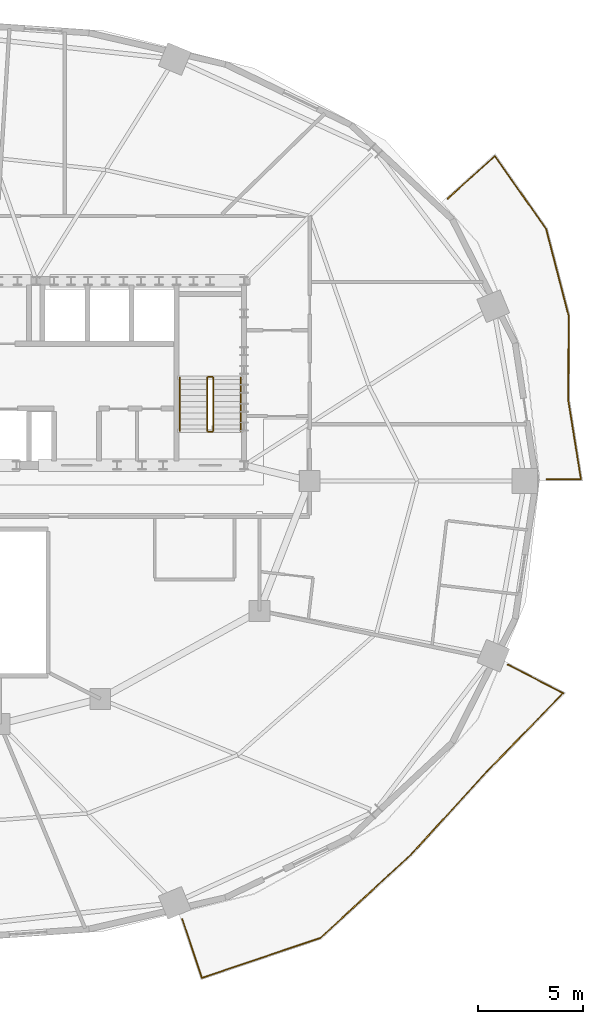
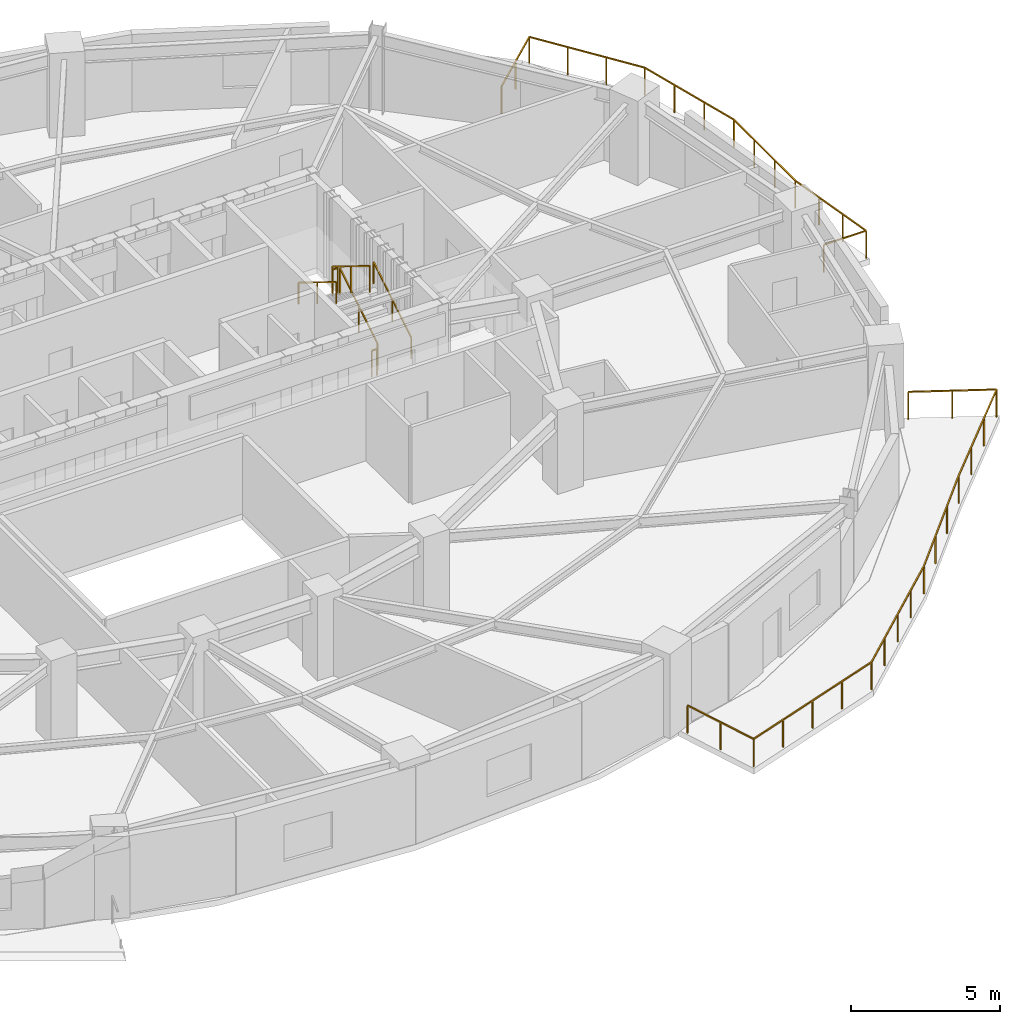
# One storey, part 10 of 10: 8 railings.
"""IFC4 building model written with IfcOpenShell, lengths in metres."""

from ifc_helpers import new_model, si_unit, direction, frame, origin, origin_2d, place, context, subcontext, project, spatial, rectangle, extrude, material, type_object, element, save


model = new_model("IFC4")

# Units and contexts
model_context = context("Model", 3, precision=1e-05, world=origin(), true_north=direction((0.0, 1.0)))
body_context = subcontext(model_context, "Body", "Model", "MODEL_VIEW")
ifc_project = project(units=[si_unit("LENGTHUNIT", "METRE"), si_unit("AREAUNIT", "SQUARE_METRE"), si_unit("VOLUMEUNIT", "CUBIC_METRE"), si_unit("PLANEANGLEUNIT", "RADIAN"), si_unit("MASSUNIT", "GRAM", prefix="KILO")], contexts=[model_context])

# Site, building, storey
site_placement = place(None, origin())
site = spatial("IfcSite", under=ifc_project, at=site_placement, CompositionType="ELEMENT")
building_placement = place(site_placement, origin())
building = spatial("IfcBuilding", under=site, at=building_placement, Name="Haldorwick Loom Tower", CompositionType="ELEMENT")
storey_placement = place(building_placement, frame((0.0, 0.0, 196.89990234375)))
storey = spatial("IfcBuildingStorey", under=building, at=storey_placement, Name="L53", CompositionType="ELEMENT", Elevation=196.89990234375)

# Railings
ifc_material_1 = material(Name="Galvanized Steel CSA G40.21 350W", Category="steel")
railing_type_1 = type_object("IfcRailingType", Name="ARC-RLG-BAL115", PredefinedType="BALUSTRADE", material=ifc_material_1)
railing_1_placement = place(storey_placement, frame((62.660400390625, 17.23291015625, 0.0)))
element("IfcRailing", 1, at=railing_1_placement, inside=storey, type_object=railing_type_1, Name="L53 Outdoor Terrace Guardrail SLB-L53-BAL_SE-1", PredefinedType="BALUSTRADE", context=body_context, shape_type="SweptSolid", body=[
    extrude(rectangle(XDim=0.048095703125, YDim=0.048095703125, at=origin_2d()), frame((0.0, 0.0, 1.1259765625), z_axis=(0.888616322057, -0.458651318731, 0.0), x_axis=(0.458651318731, 0.888616322057, 0.0)), (0.0, 0.0, 1.0), 2.961669921875),
    extrude(rectangle(XDim=0.048095703125, YDim=0.048095703125, at=origin_2d()), frame((2.6318359375, -1.3583984375, 1.1259765625), z_axis=(-0.696683349737, -0.717378777355, 0.0), x_axis=(0.717378777355, -0.696683349737, 0.0)), (0.0, 0.0, 1.0), 5.190673828125),
    extrude(rectangle(XDim=0.048095703125, YDim=0.048095703125, at=origin_2d()), frame((-0.984375, -5.08203125, 1.1259765625), z_axis=(-0.707106781187, -0.707106781187, 0.0), x_axis=(0.707106781187, -0.707106781187, 0.0)), (0.0, 0.0, 1.0), 0.001953125),
    extrude(rectangle(XDim=0.048095703125, YDim=0.048095703125, at=origin_2d()), frame((-0.98583984375, -5.08349609375, 1.1259765625), z_axis=(-0.67470023799, -0.738091856652, 0.0), x_axis=(0.738091856652, -0.67470023799, 0.0)), (0.0, 0.0, 1.0), 5.3994140625),
    extrude(rectangle(XDim=0.048095703125, YDim=0.048095703125, at=origin_2d()), frame((-4.62890625, -9.06884765625, 1.1259765625), z_axis=(-0.735961683772, -0.677023190164, 0.0), x_axis=(0.677023190164, -0.735961683772, 0.0)), (0.0, 0.0, 1.0), 5.86962890625),
    extrude(rectangle(XDim=0.048095703125, YDim=0.048095703125, at=origin_2d()), frame((-8.94873046875, -13.042724609375, 1.1259765625), z_axis=(-0.947503426745, -0.319745611865, 0.0), x_axis=(0.319745611865, -0.947503426745, 0.0)), (0.0, 0.0, 1.0), 5.9716796875),
    extrude(rectangle(XDim=0.048095703125, YDim=0.048095703125, at=origin_2d()), frame((-14.60693359375, -14.9521484375, 1.1259765625), z_axis=(-0.316699177821, 0.948526030622, 0.0), x_axis=(-0.948526030622, -0.316699177821, 0.0)), (0.0, 0.0, 1.0), 2.95166015625),
    extrude(rectangle(XDim=0.0419921875, YDim=0.0419921875, at=origin_2d()), origin(), (0.0, 0.0, 1.0), 1.101806640625),
    extrude(rectangle(XDim=0.0419921875, YDim=0.0419921875, at=origin_2d()), frame((1.31591796875, -0.67919921875, 0.0)), (0.0, 0.0, 1.0), 1.101806640625),
    extrude(rectangle(XDim=0.0419921875, YDim=0.0419921875, at=origin_2d()), frame((2.6318359375, -1.3583984375, 0.0)), (0.0, 0.0, 1.0), 1.101806640625),
    extrude(rectangle(XDim=0.0419921875, YDim=0.0419921875, at=origin_2d()), frame((1.426513671875, -2.599609375, 0.0)), (0.0, 0.0, 1.0), 1.101806640625),
    extrude(rectangle(XDim=0.0419921875, YDim=0.0419921875, at=origin_2d()), frame((0.220947265625, -3.8408203125, 0.0)), (0.0, 0.0, 1.0), 1.101806640625),
    extrude(rectangle(XDim=0.0419921875, YDim=0.0419921875, at=origin_2d()), frame((-0.984375, -5.08203125, 0.0)), (0.0, 0.0, 1.0), 1.101806640625),
    extrude(rectangle(XDim=0.0419921875, YDim=0.0419921875, at=origin_2d()), frame((-2.2001953125, -6.411865234375, 0.0)), (0.0, 0.0, 1.0), 1.101806640625),
    extrude(rectangle(XDim=0.0419921875, YDim=0.0419921875, at=origin_2d()), frame((-3.41455078125, -7.740478515625, 0.0)), (0.0, 0.0, 1.0), 1.101806640625),
    extrude(rectangle(XDim=0.0419921875, YDim=0.0419921875, at=origin_2d()), frame((-4.62890625, -9.06884765625, 0.0)), (0.0, 0.0, 1.0), 1.101806640625),
    extrude(rectangle(XDim=0.0419921875, YDim=0.0419921875, at=origin_2d()), frame((-5.708984375, -10.062255859375, 0.0)), (0.0, 0.0, 1.0), 1.101806640625),
    extrude(rectangle(XDim=0.0419921875, YDim=0.0419921875, at=origin_2d()), frame((-6.788818359375, -11.0556640625, 0.0)), (0.0, 0.0, 1.0), 1.101806640625),
    extrude(rectangle(XDim=0.0419921875, YDim=0.0419921875, at=origin_2d()), frame((-7.86865234375, -12.04931640625, 0.0)), (0.0, 0.0, 1.0), 1.101806640625),
    extrude(rectangle(XDim=0.0419921875, YDim=0.0419921875, at=origin_2d()), frame((-8.94873046875, -13.042724609375, 0.0)), (0.0, 0.0, 1.0), 1.101806640625),
    extrude(rectangle(XDim=0.0419921875, YDim=0.0419921875, at=origin_2d()), frame((-10.36328125, -13.52001953125, 0.0)), (0.0, 0.0, 1.0), 1.101806640625),
    extrude(rectangle(XDim=0.0419921875, YDim=0.0419921875, at=origin_2d()), frame((-11.77783203125, -13.99755859375, 0.0)), (0.0, 0.0, 1.0), 1.101806640625),
    extrude(rectangle(XDim=0.0419921875, YDim=0.0419921875, at=origin_2d()), frame((-13.1923828125, -14.474853515625, 0.0)), (0.0, 0.0, 1.0), 1.101806640625),
    extrude(rectangle(XDim=0.0419921875, YDim=0.0419921875, at=origin_2d()), frame((-14.60693359375, -14.9521484375, 0.0)), (0.0, 0.0, 1.0), 1.101806640625),
    extrude(rectangle(XDim=0.0419921875, YDim=0.0419921875, at=origin_2d()), frame((-15.07421875, -13.55224609375, 0.0)), (0.0, 0.0, 1.0), 1.101806640625),
    extrude(rectangle(XDim=0.0419921875, YDim=0.0419921875, at=origin_2d()), frame((-15.541748046875, -12.15234375, 0.0)), (0.0, 0.0, 1.0), 1.101806640625),
])
railing_2_placement = place(storey_placement, frame((59.788818359375, 39.480224609375, 0.0)))
element("IfcRailing", 2, at=railing_2_placement, inside=storey, type_object=railing_type_1, Name="L53 Outdoor Terrace Guardrail SLB-L53-BAL_ENE-1", PredefinedType="BALUSTRADE", context=body_context, shape_type="SweptSolid", body=[
    extrude(rectangle(XDim=0.048095703125, YDim=0.048095703125, at=origin_2d()), frame((0.0, 0.0, 1.1259765625), z_axis=(0.74171714135, 0.670712816507, 0.0), x_axis=(-0.670712816507, 0.74171714135, 0.0)), (0.0, 0.0, 1.0), 3.029296875),
    extrude(rectangle(XDim=0.048095703125, YDim=0.048095703125, at=origin_2d()), frame((2.246826171875, 2.03173828125, 1.1259765625), z_axis=(0.574665537873, -0.818388367208, 0.0), x_axis=(0.818388367208, 0.574665537873, 0.0)), (0.0, 0.0, 1.0), 4.26025390625),
    extrude(rectangle(XDim=0.048095703125, YDim=0.048095703125, at=origin_2d()), frame((4.695068359375, -1.454833984375, 1.1259765625), z_axis=(0.251069654053, -0.967969022652, 0.0), x_axis=(0.967969022652, 0.251069654053, 0.0)), (0.0, 0.0, 1.0), 4.256103515625),
    extrude(rectangle(XDim=0.048095703125, YDim=0.048095703125, at=origin_2d()), frame((5.763671875, -5.57470703125, 1.1259765625), z_axis=(-0.00029735354, -0.99999995579, 0.0), x_axis=(0.99999995579, -0.00029735354, 0.0)), (0.0, 0.0, 1.0), 4.105224609375),
    extrude(rectangle(XDim=0.048095703125, YDim=0.048095703125, at=origin_2d()), frame((5.762451171875, -9.679931640625, 1.1259765625), z_axis=(0.038433122101, -0.999261174631, 0.0), x_axis=(0.999261174631, 0.038433122101, 0.0)), (0.0, 0.0, 1.0), 0.00634765625),
    extrude(rectangle(XDim=0.048095703125, YDim=0.048095703125, at=origin_2d()), frame((5.7626953125, -9.686279296875, 1.1259765625), z_axis=(0.114624107985, -0.993408935871, 0.0), x_axis=(0.993408935871, 0.114624107985, 0.0)), (0.0, 0.0, 1.0), 0.00634765625),
    extrude(rectangle(XDim=0.048095703125, YDim=0.048095703125, at=origin_2d()), frame((5.763427734375, -9.692626953125, 1.1259765625), z_axis=(0.157688694755, -0.987488873632, 0.0), x_axis=(0.987488873632, 0.157688694755, 0.0)), (0.0, 0.0, 1.0), 3.75439453125),
    extrude(rectangle(XDim=0.048095703125, YDim=0.048095703125, at=origin_2d()), frame((6.35546875, -13.400146484375, 1.1259765625), z_axis=(-1.0, 0.0, 0.0), x_axis=(0.0, -1.0, 0.0)), (0.0, 0.0, 1.0), 1.634765625),
    extrude(rectangle(XDim=0.0419921875, YDim=0.0419921875, at=origin_2d()), origin(), (0.0, 0.0, 1.0), 1.101806640625),
    extrude(rectangle(XDim=0.0419921875, YDim=0.0419921875, at=origin_2d()), frame((1.12353515625, 1.015869140625, 0.0)), (0.0, 0.0, 1.0), 1.101806640625),
    extrude(rectangle(XDim=0.0419921875, YDim=0.0419921875, at=origin_2d()), frame((2.246826171875, 2.03173828125, 0.0)), (0.0, 0.0, 1.0), 1.101806640625),
    extrude(rectangle(XDim=0.0419921875, YDim=0.0419921875, at=origin_2d()), frame((3.06298828125, 0.86962890625, 0.0)), (0.0, 0.0, 1.0), 1.101806640625),
    extrude(rectangle(XDim=0.0419921875, YDim=0.0419921875, at=origin_2d()), frame((3.87890625, -0.292724609375, 0.0)), (0.0, 0.0, 1.0), 1.101806640625),
    extrude(rectangle(XDim=0.0419921875, YDim=0.0419921875, at=origin_2d()), frame((4.695068359375, -1.454833984375, 0.0)), (0.0, 0.0, 1.0), 1.101806640625),
    extrude(rectangle(XDim=0.0419921875, YDim=0.0419921875, at=origin_2d()), frame((5.05126953125, -2.828125, 0.0)), (0.0, 0.0, 1.0), 1.101806640625),
    extrude(rectangle(XDim=0.0419921875, YDim=0.0419921875, at=origin_2d()), frame((5.407470703125, -4.201416015625, 0.0)), (0.0, 0.0, 1.0), 1.101806640625),
    extrude(rectangle(XDim=0.0419921875, YDim=0.0419921875, at=origin_2d()), frame((5.763671875, -5.57470703125, 0.0)), (0.0, 0.0, 1.0), 1.101806640625),
    extrude(rectangle(XDim=0.0419921875, YDim=0.0419921875, at=origin_2d()), frame((5.76318359375, -6.943115234375, 0.0)), (0.0, 0.0, 1.0), 1.101806640625),
    extrude(rectangle(XDim=0.0419921875, YDim=0.0419921875, at=origin_2d()), frame((5.762939453125, -8.3115234375, 0.0)), (0.0, 0.0, 1.0), 1.101806640625),
    extrude(rectangle(XDim=0.0419921875, YDim=0.0419921875, at=origin_2d()), frame((5.762451171875, -9.679931640625, 0.0)), (0.0, 0.0, 1.0), 1.101806640625),
    extrude(rectangle(XDim=0.0419921875, YDim=0.0419921875, at=origin_2d()), frame((5.960693359375, -10.928466796875, 0.0)), (0.0, 0.0, 1.0), 1.101806640625),
    extrude(rectangle(XDim=0.0419921875, YDim=0.0419921875, at=origin_2d()), frame((6.158203125, -12.164306640625, 0.0)), (0.0, 0.0, 1.0), 1.101806640625),
    extrude(rectangle(XDim=0.0419921875, YDim=0.0419921875, at=origin_2d()), frame((6.35546875, -13.400146484375, 0.0)), (0.0, 0.0, 1.0), 1.101806640625),
    extrude(rectangle(XDim=0.0419921875, YDim=0.0419921875, at=origin_2d()), frame((4.720703125, -13.400146484375, 0.0)), (0.0, 0.0, 1.0), 1.101806640625),
])
ifc_material_2 = material(Name="Steel CSA G40.21 350W", Category="steel")
railing_type_2 = type_object("IfcRailingType", Name="ARC-RLG-GUARD112", PredefinedType="GUARDRAIL", material=ifc_material_2)
railing_3_placement = place(storey_placement, frame((48.60009765625, 28.39990234375, 0.172607421875)))
element("IfcRailing", 3, at=railing_3_placement, inside=storey, type_object=railing_type_2, Name="L53 ST-02 stair guard 1", PredefinedType="GUARDRAIL", context=body_context, shape_type="SweptSolid", body=[
    extrude(rectangle(XDim=0.048095703125, YDim=0.048095703125, at=origin_2d()), frame((0.0, 0.0, 1.076171875), z_axis=(0.0, 0.851400495292, 0.524516154772), x_axis=(-1.0, 0.0, 0.0)), (0.0, 0.0, 1.0), 2.9599609375),
    extrude(rectangle(XDim=0.0419921875, YDim=0.0419921875, at=origin_2d()), origin(), (0.0, 0.0, 1.0), 1.052001953125),
    extrude(rectangle(XDim=0.0419921875, YDim=0.0419921875, at=origin_2d()), frame((0.0, 1.260009765625, 0.7763671875)), (0.0, 0.0, 1.0), 1.052001953125),
    extrude(rectangle(XDim=0.0419921875, YDim=0.0419921875, at=origin_2d()), frame((0.0, 2.52001953125, 1.552490234375)), (0.0, 0.0, 1.0), 1.052001953125),
])
railing_4_placement = place(storey_placement, frame((48.550048828125, 30.969970703125, 1.72509765625)))
element("IfcRailing", 4, at=railing_4_placement, inside=storey, type_object=railing_type_2, Name="L53 ST-02 stair guard 2", PredefinedType="GUARDRAIL", context=body_context, shape_type="SweptSolid", body=[
    extrude(rectangle(XDim=0.048095703125, YDim=0.048095703125, at=origin_2d()), frame((0.0, 0.0, 1.076171875), z_axis=(-1.0, 0.0, 0.0), x_axis=(0.0, -1.0, 0.0)), (0.0, 0.0, 1.0), 0.199951171875),
    extrude(rectangle(XDim=0.0419921875, YDim=0.0419921875, at=origin_2d()), origin(), (0.0, 0.0, 1.0), 1.052001953125),
    extrude(rectangle(XDim=0.0419921875, YDim=0.0419921875, at=origin_2d()), frame((-0.199951171875, 0.0, 0.0)), (0.0, 0.0, 1.0), 1.052001953125),
])
railing_5_placement = place(storey_placement, frame((48.300048828125, 30.919921875, 1.897705078125)))
element("IfcRailing", 5, at=railing_5_placement, inside=storey, type_object=railing_type_2, Name="L53 ST-02 stair guard 3", PredefinedType="GUARDRAIL", context=body_context, shape_type="SweptSolid", body=[
    extrude(rectangle(XDim=0.048095703125, YDim=0.048095703125, at=origin_2d()), frame((0.0, 0.0, 1.076171875), z_axis=(0.0, -0.851400495292, 0.524516154772), x_axis=(1.0, 0.0, 0.0)), (0.0, 0.0, 1.0), 2.9599609375),
    extrude(rectangle(XDim=0.0419921875, YDim=0.0419921875, at=origin_2d()), origin(), (0.0, 0.0, 1.0), 1.052001953125),
    extrude(rectangle(XDim=0.0419921875, YDim=0.0419921875, at=origin_2d()), frame((0.0, -1.260009765625, 0.7763671875)), (0.0, 0.0, 1.0), 1.052001953125),
    extrude(rectangle(XDim=0.0419921875, YDim=0.0419921875, at=origin_2d()), frame((0.0, -2.52001953125, 1.552490234375)), (0.0, 0.0, 1.0), 1.052001953125),
])
railing_6_placement = place(storey_placement, frame((48.550048828125, 28.35009765625, 0.0)))
element("IfcRailing", 6, at=railing_6_placement, inside=storey, type_object=railing_type_2, Name="L53 ST-02 stair guard 4", PredefinedType="GUARDRAIL", context=body_context, shape_type="SweptSolid", body=[
    extrude(rectangle(XDim=0.048095703125, YDim=0.048095703125, at=origin_2d()), frame((0.0, 0.0, 1.076171875), z_axis=(-1.0, 0.0, 0.0), x_axis=(0.0, -1.0, 0.0)), (0.0, 0.0, 1.0), 0.199951171875),
    extrude(rectangle(XDim=0.0419921875, YDim=0.0419921875, at=origin_2d()), origin(), (0.0, 0.0, 1.0), 1.052001953125),
    extrude(rectangle(XDim=0.0419921875, YDim=0.0419921875, at=origin_2d()), frame((-0.199951171875, 0.0, 0.0)), (0.0, 0.0, 1.0), 1.052001953125),
])
railing_type_3 = type_object("IfcRailingType", Name="ARC-RLG-HAND092", PredefinedType="HANDRAIL", material=ifc_material_2)
railing_7_placement = place(storey_placement, frame((49.89990234375, 28.39990234375, 0.172607421875)))
element("IfcRailing", 7, at=railing_7_placement, inside=storey, type_object=railing_type_3, Name="L53 ST-02 stair handrail 1", PredefinedType="HANDRAIL", context=body_context, shape_type="SweptSolid", body=[
    extrude(rectangle(XDim=0.048095703125, YDim=0.048095703125, at=origin_2d()), frame((0.0, 0.0, 0.8759765625), z_axis=(0.0, 0.851400495292, 0.524516154772), x_axis=(-1.0, 0.0, 0.0)), (0.0, 0.0, 1.0), 2.9599609375),
    extrude(rectangle(XDim=0.0419921875, YDim=0.0419921875, at=origin_2d()), origin(), (0.0, 0.0, 1.0), 0.851806640625),
    extrude(rectangle(XDim=0.0419921875, YDim=0.0419921875, at=origin_2d()), frame((0.0, 1.260009765625, 0.7763671875)), (0.0, 0.0, 1.0), 0.851806640625),
    extrude(rectangle(XDim=0.0419921875, YDim=0.0419921875, at=origin_2d()), frame((0.0, 2.52001953125, 1.552490234375)), (0.0, 0.0, 1.0), 0.851806640625),
])
railing_8_placement = place(storey_placement, frame((47.0, 30.919921875, 1.897705078125)))
element("IfcRailing", 8, at=railing_8_placement, inside=storey, type_object=railing_type_3, Name="L53 ST-02 stair handrail 2", PredefinedType="HANDRAIL", context=body_context, shape_type="SweptSolid", body=[
    extrude(rectangle(XDim=0.048095703125, YDim=0.048095703125, at=origin_2d()), frame((0.0, 0.0, 0.8759765625), z_axis=(0.0, -0.851400495292, 0.524516154772), x_axis=(1.0, 0.0, 0.0)), (0.0, 0.0, 1.0), 2.9599609375),
    extrude(rectangle(XDim=0.0419921875, YDim=0.0419921875, at=origin_2d()), origin(), (0.0, 0.0, 1.0), 0.851806640625),
    extrude(rectangle(XDim=0.0419921875, YDim=0.0419921875, at=origin_2d()), frame((0.0, -1.260009765625, 0.7763671875)), (0.0, 0.0, 1.0), 0.851806640625),
    extrude(rectangle(XDim=0.0419921875, YDim=0.0419921875, at=origin_2d()), frame((0.0, -2.52001953125, 1.552490234375)), (0.0, 0.0, 1.0), 0.851806640625),
])

save(model, "model.ifc")
